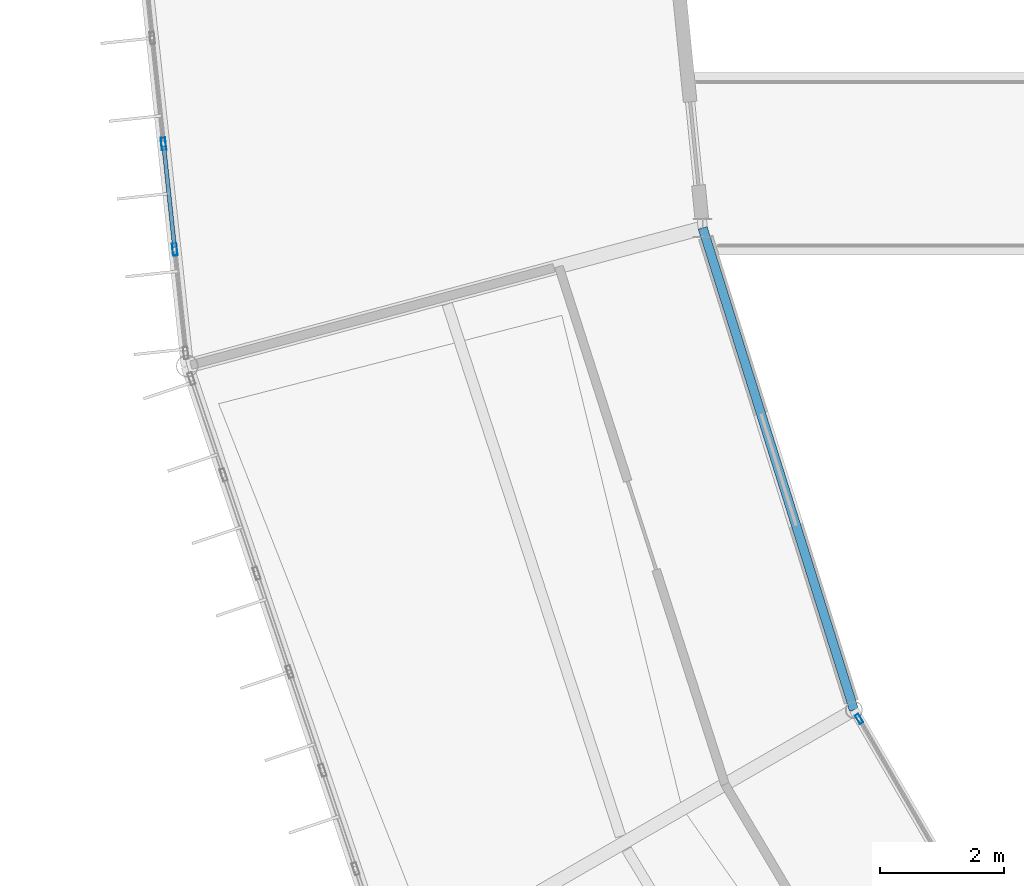
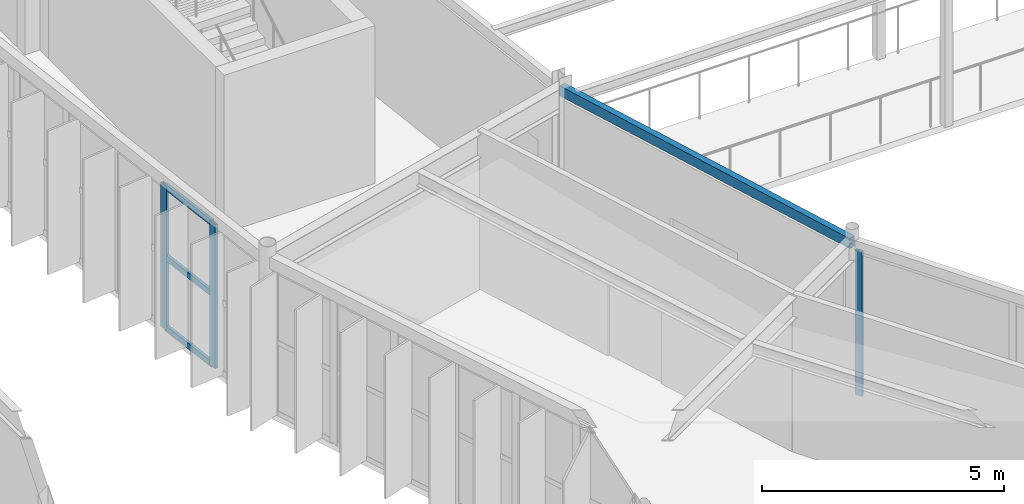
# One storey, part 42 of 148: 6 members, 1 beam, 2 elements without a shape of their own.
"""IFC4 building model written with IfcOpenShell, lengths in metres."""

from ifc_helpers import new_model, si_unit, direction, frame, origin, origin_2d, place, context, subcontext, project, spatial, hollow_rectangle, extrude, material, material_profile, profile_set, type_object, element, aggregate, save


model = new_model("IFC4")

# Units and contexts
model_context = context("Model", 3, precision=1e-05, world=origin(), true_north=direction((0.0, 1.0)))
body_context = subcontext(model_context, "Body", "Model", "MODEL_VIEW")
ifc_project = project(units=[si_unit("LENGTHUNIT", "METRE"), si_unit("AREAUNIT", "SQUARE_METRE"), si_unit("VOLUMEUNIT", "CUBIC_METRE"), si_unit("PLANEANGLEUNIT", "RADIAN"), si_unit("MASSUNIT", "GRAM", prefix="KILO")], contexts=[model_context])

# Site, building, storey
site_placement = place(None, origin())
site = spatial("IfcSite", under=ifc_project, at=site_placement, CompositionType="ELEMENT")
building_placement = place(site_placement, origin())
building = spatial("IfcBuilding", under=site, at=building_placement, Name="Karori Crest Natural Sciences Institute", CompositionType="ELEMENT")
storey_placement = place(building_placement, frame((0.0, 0.0, 4.89990234375)))
storey = spatial("IfcBuildingStorey", under=building, at=storey_placement, Name="L01", CompositionType="ELEMENT", Elevation=4.89990234375)

# Beam
ifc_material_1 = material(Name="Hollow structural steel AS/NZS 1163 Grade C350", Category="steel")
ifc_material_profile_1 = material_profile(ifc_material_1, hollow_rectangle(XDim=0.14990234375, YDim=0.25, WallThickness=0.009033203125, at=origin_2d()), Name="RHS250x150x9")
ifc_profile_set_1 = profile_set([ifc_material_profile_1], Name="Hollow structural steel AS/NZS 1163 Grade C350")
beam_type = type_object("IfcBeamType", Name="BT-16", PredefinedType="SPANDREL", material=ifc_profile_set_1)
beam_placement = place(storey_placement, frame((42.831298828125, 41.56591796875, 3.7900390625), z_axis=(0.299495880683, -0.954097593254, 0.0), x_axis=(0.954097593254, 0.299495880683, 0.0)))
element("IfcBeam", 1, at=beam_placement, inside=storey, type_object=beam_type, Name="Beam B-0229", PredefinedType="SPANDREL", context=body_context, shape_type="SweptSolid", body=[
    extrude(hollow_rectangle(XDim=0.14990234375, YDim=0.25, WallThickness=0.009033203125, at=origin_2d()), origin(), (0.0, 0.0, 1.0), 8.139404296875),
])

# Curtain wall, member
ifc_material_2 = material(Name="Anodised architectural aluminium 6063-T6", Category="aluminium")
curtain_wall_type_1 = type_object("IfcCurtainWallType", Name="CWT-15", PredefinedType="NOTDEFINED", material=ifc_material_2)
curtain_wall_1_placement = place(storey_placement, origin())
curtain_wall_1 = element("IfcCurtainWall", 2, at=curtain_wall_1_placement, inside=storey, type_object=curtain_wall_type_1, Name="Curtain wall CW-0051", PredefinedType="NOTDEFINED")
ifc_material_profile_2 = material_profile(ifc_material_2, hollow_rectangle(XDim=0.06494140625, YDim=0.159912109375, WallThickness=0.00390625, at=origin_2d()), Name="CWM160x65x4")
ifc_profile_set_2 = profile_set([ifc_material_profile_2], Name="Anodised architectural aluminium 6063-T6")
member_type_1 = type_object("IfcMemberType", Name="CWM-01", PredefinedType="MULLION", material=ifc_profile_set_2)
member_1_placement = place(storey_placement, frame((45.35302734375, 33.655517578125, 0.0), z_axis=(0.0, 0.0, 1.0), x_axis=(0.864484379326, 0.502659683982, 0.0)))
member_1 = element("IfcMember", 3, at=member_1_placement, type_object=member_type_1, Name="CW-0051 mullion 1", PredefinedType="MULLION", context=body_context, shape_type="SweptSolid", body=[
    extrude(hollow_rectangle(XDim=0.06494140625, YDim=0.159912109375, WallThickness=0.00390625, at=origin_2d()), origin(), (0.0, 0.0, 1.0), 3.650146484375),
])
aggregate(curtain_wall_1, [member_1])

# Curtain wall, members
curtain_wall_type_2 = type_object("IfcCurtainWallType", Name="CWT-03", PredefinedType="NOTDEFINED", material=ifc_material_2)
curtain_wall_2_placement = place(storey_placement, origin())
curtain_wall_2 = element("IfcCurtainWall", 4, at=curtain_wall_2_placement, inside=storey, type_object=curtain_wall_type_2, Name="Curtain wall CW-0048", PredefinedType="NOTDEFINED")
ifc_material_profile_3 = material_profile(ifc_material_2, hollow_rectangle(XDim=0.074951171875, YDim=0.199951171875, WallThickness=0.0048828125, at=origin_2d()), Name="CWM200x75x5")
ifc_profile_set_3 = profile_set([ifc_material_profile_3], Name="Anodised architectural aluminium 6063-T6")
member_type_2 = type_object("IfcMemberType", Name="CWM-02", PredefinedType="MULLION", material=ifc_profile_set_3)
member_2_placement = place(storey_placement, frame((34.324462890625, 41.218994140625, 0.0), z_axis=(0.0, 0.0, 1.0), x_axis=(-0.994378742451, -0.105881615789, 0.0)))
member_2 = element("IfcMember", 5, at=member_2_placement, type_object=member_type_2, Name="CW-0048 mullion 2", PredefinedType="MULLION", context=body_context, shape_type="SweptSolid", body=[
    extrude(hollow_rectangle(XDim=0.074951171875, YDim=0.199951171875, WallThickness=0.0048828125, at=origin_2d()), origin(), (0.0, 0.0, 1.0), 3.625),
])
member_3_placement = place(storey_placement, frame((34.142822265625, 42.9228515625, 0.0), z_axis=(0.0, 0.0, 1.0), x_axis=(-0.994378742451, -0.105881615789, 0.0)))
member_3 = element("IfcMember", 6, at=member_3_placement, type_object=member_type_2, Name="CW-0048 mullion 3", PredefinedType="MULLION", context=body_context, shape_type="SweptSolid", body=[
    extrude(hollow_rectangle(XDim=0.074951171875, YDim=0.199951171875, WallThickness=0.0048828125, at=origin_2d()), origin(), (0.0, 0.0, 1.0), 3.625),
])
ifc_material_profile_4 = material_profile(ifc_material_2, hollow_rectangle(XDim=0.06494140625, YDim=0.14990234375, WallThickness=0.00390625, at=origin_2d()), Name="CWT150x65x4")
ifc_profile_set_4 = profile_set([ifc_material_profile_4], Name="Anodised architectural aluminium 6063-T6")
member_type_3 = type_object("IfcMemberType", Name="CWT-TR2", PredefinedType="USERDEFINED", material=ifc_profile_set_4)
member_4_placement = place(storey_placement, frame((34.3203125, 41.256103515625, 0.03271484375), z_axis=(-0.105786054594, 0.994388913179, 0.0), x_axis=(-0.994388913179, -0.105786054594, 0.0)))
member_4 = element("IfcMember", 7, at=member_4_placement, type_object=member_type_3, Name="CW-0048 transom 2.1", ObjectType="TRANSOM", PredefinedType="USERDEFINED", context=body_context, shape_type="SweptSolid", body=[
    extrude(hollow_rectangle(XDim=0.06494140625, YDim=0.14990234375, WallThickness=0.00390625, at=origin_2d()), origin(), (0.0, 0.0, 1.0), 1.638671875),
])
member_5_placement = place(storey_placement, frame((34.3203125, 41.256103515625, 1.8125), z_axis=(-0.105786054594, 0.994388913179, 0.0), x_axis=(-0.994388913179, -0.105786054594, 0.0)))
member_5 = element("IfcMember", 8, at=member_5_placement, type_object=member_type_3, Name="CW-0048 transom 2.2", ObjectType="TRANSOM", PredefinedType="USERDEFINED", context=body_context, shape_type="SweptSolid", body=[
    extrude(hollow_rectangle(XDim=0.06494140625, YDim=0.14990234375, WallThickness=0.00390625, at=origin_2d()), origin(), (0.0, 0.0, 1.0), 1.638671875),
])
member_6_placement = place(storey_placement, frame((34.3203125, 41.256103515625, 3.592529296875), z_axis=(-0.105786054594, 0.994388913179, 0.0), x_axis=(-0.994388913179, -0.105786054594, 0.0)))
member_6 = element("IfcMember", 9, at=member_6_placement, type_object=member_type_3, Name="CW-0048 transom 2.3", ObjectType="TRANSOM", PredefinedType="USERDEFINED", context=body_context, shape_type="SweptSolid", body=[
    extrude(hollow_rectangle(XDim=0.06494140625, YDim=0.14990234375, WallThickness=0.00390625, at=origin_2d()), origin(), (0.0, 0.0, 1.0), 1.638671875),
])
aggregate(curtain_wall_2, [member_2, member_3, member_4, member_5, member_6])

save(model, "model.ifc")
